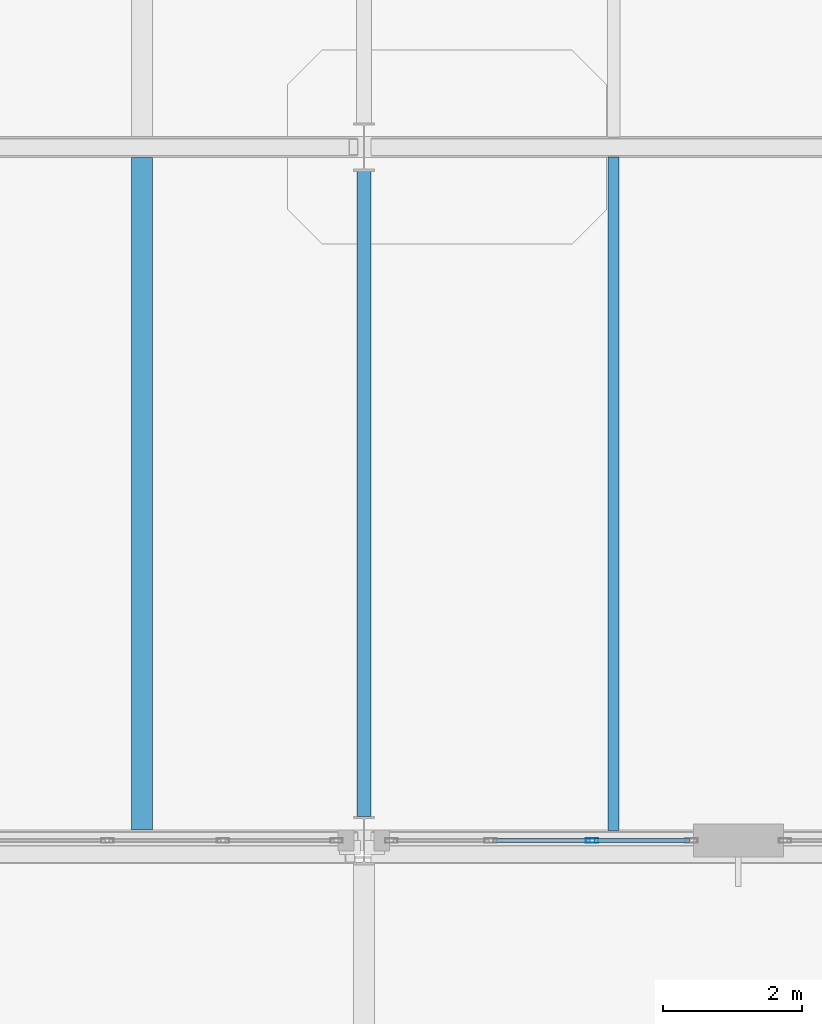
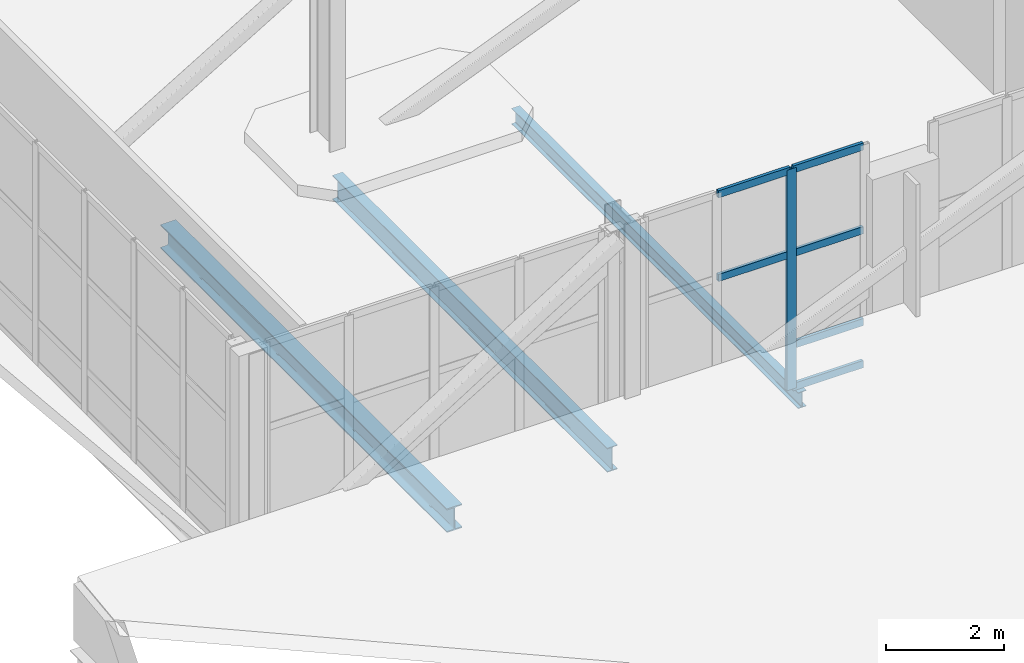
# One storey, part 15 of 100: 7 members, 3 beams, 1 element without a shape of its own.
"""IFC4 building model written with IfcOpenShell, lengths in metres."""

from ifc_helpers import new_model, si_unit, direction, frame, origin, origin_2d, place, context, subcontext, project, spatial, hollow_rectangle, i_section, extrude, material, layer, layer_set, material_profile, profile_set, type_object, element, aggregate, save


model = new_model("IFC4")

# Units and contexts
model_context = context("Model", 3, precision=1e-05, world=origin(), true_north=direction((0.0, 1.0)))
body_context = subcontext(model_context, "Body", "Model", "MODEL_VIEW")
ifc_project = project(units=[si_unit("LENGTHUNIT", "METRE"), si_unit("AREAUNIT", "SQUARE_METRE"), si_unit("VOLUMEUNIT", "CUBIC_METRE"), si_unit("PLANEANGLEUNIT", "RADIAN"), si_unit("MASSUNIT", "GRAM", prefix="KILO")], contexts=[model_context])

# Site, building, storey
site_placement = place(None, origin())
site = spatial("IfcSite", under=ifc_project, at=site_placement, CompositionType="ELEMENT")
building_placement = place(site_placement, origin())
building = spatial("IfcBuilding", under=site, at=building_placement, Name="Tasgan Crest Museum", CompositionType="ELEMENT")
storey_placement = place(building_placement, frame((0.0, 0.0, 9.60009765625)))
storey = spatial("IfcBuildingStorey", under=building, at=storey_placement, Name="L02", CompositionType="ELEMENT", Elevation=9.60009765625)

# Beams
ifc_material_1 = material(Name="Steel S355J2", Category="steel")
ifc_material_profile_1 = material_profile(ifc_material_1, i_section(OverallWidth=0.300048828125, OverallDepth=0.489990234375, WebThickness=0.011962890625, FlangeThickness=0.02294921875, FilletRadius=0.027099609375, at=origin_2d()), Name="HEA 500")
ifc_profile_set_1 = profile_set([ifc_material_profile_1], Name="Steel S355J2")
beam_type_1 = type_object("IfcBeamType", Name="BM-G-HEA500", PredefinedType="BEAM", material=ifc_profile_set_1)
beam_1_placement = place(storey_placement, frame((7.60009765625, 40.14990234375, -0.505126953125), z_axis=(0.0, 1.0, 0.0), x_axis=(-1.0, 0.0, 0.0)))
element("IfcBeam", 1, at=beam_1_placement, inside=storey, type_object=beam_type_1, Name="Cantilever edge beam L02 MID 40-50", PredefinedType="BEAM", context=body_context, shape_type="SweptSolid", body=[
    extrude(i_section(OverallWidth=0.300048828125, OverallDepth=0.489990234375, WebThickness=0.011962890625, FlangeThickness=0.02294921875, FilletRadius=0.027099609375, at=origin_2d()), origin(), (0.0, 0.0, 1.0), 9.7001953125),
])
ifc_material_2 = material(Name="Steel S355J2", Category="steel")
ifc_material_profile_2 = material_profile(ifc_material_2, i_section(OverallWidth=0.199951171875, OverallDepth=0.5, WebThickness=0.01025390625, FlangeThickness=0.01611328125, FilletRadius=0.02099609375, at=origin_2d()), Name="IPE 500")
ifc_profile_set_2 = profile_set([ifc_material_profile_2], Name="Steel S355J2")
beam_type_2 = type_object("IfcBeamType", Name="BM-G-IPE500", PredefinedType="BEAM", material=ifc_profile_set_2)
beam_2_placement = place(storey_placement, frame((10.800048828125, 40.344970703125, -0.510009765625), z_axis=(0.0, 1.0, 0.0), x_axis=(-1.0, 0.0, 0.0)))
element("IfcBeam", 2, at=beam_2_placement, inside=storey, type_object=beam_type_2, Name="Beam L02 2 40.0-50.0", PredefinedType="BEAM", context=body_context, shape_type="SweptSolid", body=[
    extrude(i_section(OverallWidth=0.199951171875, OverallDepth=0.5, WebThickness=0.01025390625, FlangeThickness=0.01611328125, FilletRadius=0.02099609375, at=origin_2d()), origin(), (0.0, 0.0, 1.0), 9.31005859375),
])
ifc_material_3 = material(Name="Steel S355J2", Category="steel")
ifc_material_profile_3 = material_profile(ifc_material_3, i_section(OverallWidth=0.159912109375, OverallDepth=0.330078125, WebThickness=0.007568359375, FlangeThickness=0.011474609375, FilletRadius=0.01806640625, at=origin_2d()), Name="IPE 330")
ifc_profile_set_3 = profile_set([ifc_material_profile_3], Name="Steel S355J2")
beam_type_3 = type_object("IfcBeamType", Name="BM-J-IPE330", PredefinedType="JOIST", material=ifc_profile_set_3)
beam_3_placement = place(storey_placement, frame((14.39990234375, 40.14501953125, -0.425048828125), z_axis=(0.0, 1.0, 0.0), x_axis=(-1.0, 0.0, 0.0)))
element("IfcBeam", 3, at=beam_3_placement, inside=storey, type_object=beam_type_3, Name="Secondary joist L02 X=14.4 Y=40.0-50.0", PredefinedType="JOIST", context=body_context, shape_type="SweptSolid", body=[
    extrude(i_section(OverallWidth=0.159912109375, OverallDepth=0.330078125, WebThickness=0.007568359375, FlangeThickness=0.011474609375, FilletRadius=0.01806640625, at=origin_2d()), origin(), (0.0, 0.0, 1.0), 9.7099609375),
])

# Curtain wall, members
ifc_material_4 = material(Name="Triple-Glazed Aluminium Curtain Wall", Category="aluminium")
ifc_layer = layer(ifc_material_4, 0.179931640625, Name="CW-CANT-SIDE-48")
ifc_layer_set = layer_set([ifc_layer], Name="Triple-Glazed Aluminium Curtain Wall")
curtain_wall_type = type_object("IfcCurtainWallType", Name="CW-CANT-SIDE-48", PredefinedType="NOTDEFINED", material=ifc_layer_set)
curtain_wall_placement = place(storey_placement, origin())
curtain_wall = element("IfcCurtainWall", 4, at=curtain_wall_placement, inside=storey, type_object=curtain_wall_type, Name="Curtain wall L02 097", PredefinedType="NOTDEFINED")
ifc_material_5 = material(Name="Anodised Aluminium", Category="aluminium")
ifc_material_profile_4 = material_profile(ifc_material_5, hollow_rectangle(XDim=0.06494140625, YDim=0.179931640625, WallThickness=0.0048828125, at=origin_2d()), Name="ALU MULLION 180x65x5")
ifc_profile_set_4 = profile_set([ifc_material_profile_4], Name="Anodised Aluminium")
member_type_1 = type_object("IfcMemberType", Name="CW-MULLION-180", PredefinedType="MULLION", material=ifc_profile_set_4)
member_1_placement = place(storey_placement, frame((14.091552734375, 40.0, 0.0), z_axis=(0.0, 0.0, 1.0), x_axis=(0.0, 1.0, 0.0)))
member_1 = element("IfcMember", 5, at=member_1_placement, type_object=member_type_1, Name="CW11 mullion 3", PredefinedType="MULLION", context=body_context, shape_type="SweptSolid", body=[
    extrude(hollow_rectangle(XDim=0.06494140625, YDim=0.179931640625, WallThickness=0.0048828125, at=origin_2d()), origin(), (0.0, 0.0, 1.0), 4.559814453125),
])
ifc_material_6 = material(Name="Anodised Aluminium", Category="aluminium")
ifc_material_profile_5 = material_profile(ifc_material_6, hollow_rectangle(XDim=0.06005859375, YDim=0.14990234375, WallThickness=0.0048828125, at=origin_2d()), Name="ALU TRANSOM 150x60x5")
ifc_profile_set_5 = profile_set([ifc_material_profile_5], Name="Anodised Aluminium")
member_type_2 = type_object("IfcMemberType", Name="CW-TRANSOM-150", PredefinedType="USERDEFINED", material=ifc_profile_set_5)
member_2_placement = place(storey_placement, frame((12.658447265625, 40.0, 2.7998046875), z_axis=(1.0, 0.0, 0.0), x_axis=(0.0, 1.0, 0.0)))
member_2 = element("IfcMember", 6, at=member_2_placement, type_object=member_type_2, Name="CW11 transom 2.3", ObjectType="TRANSOM", PredefinedType="USERDEFINED", context=body_context, shape_type="SweptSolid", body=[
    extrude(hollow_rectangle(XDim=0.06005859375, YDim=0.14990234375, WallThickness=0.0048828125, at=origin_2d()), origin(), (0.0, 0.0, 1.0), 1.4033203125),
])
member_3_placement = place(storey_placement, frame((12.658447265625, 40.0, 4.52978515625), z_axis=(1.0, 0.0, 0.0), x_axis=(0.0, 1.0, 0.0)))
member_3 = element("IfcMember", 7, at=member_3_placement, type_object=member_type_2, Name="CW11 transom 2.4", ObjectType="TRANSOM", PredefinedType="USERDEFINED", context=body_context, shape_type="SweptSolid", body=[
    extrude(hollow_rectangle(XDim=0.06005859375, YDim=0.14990234375, WallThickness=0.0048828125, at=origin_2d()), origin(), (0.0, 0.0, 1.0), 1.4033203125),
])
member_4_placement = place(storey_placement, frame((14.12158203125, 40.0, 0.02978515625), z_axis=(1.0, 0.0, 0.0), x_axis=(0.0, 1.0, 0.0)))
member_4 = element("IfcMember", 8, at=member_4_placement, type_object=member_type_2, Name="CW11 transom 3.1", ObjectType="TRANSOM", PredefinedType="USERDEFINED", context=body_context, shape_type="SweptSolid", body=[
    extrude(hollow_rectangle(XDim=0.06005859375, YDim=0.14990234375, WallThickness=0.0048828125, at=origin_2d()), origin(), (0.0, 0.0, 1.0), 1.37353515625),
])
member_5_placement = place(storey_placement, frame((14.12158203125, 40.0, 0.89990234375), z_axis=(1.0, 0.0, 0.0), x_axis=(0.0, 1.0, 0.0)))
member_5 = element("IfcMember", 9, at=member_5_placement, type_object=member_type_2, Name="CW11 transom 3.2", ObjectType="TRANSOM", PredefinedType="USERDEFINED", context=body_context, shape_type="SweptSolid", body=[
    extrude(hollow_rectangle(XDim=0.06005859375, YDim=0.14990234375, WallThickness=0.0048828125, at=origin_2d()), origin(), (0.0, 0.0, 1.0), 1.37353515625),
])
member_6_placement = place(storey_placement, frame((14.12158203125, 40.0, 2.7998046875), z_axis=(1.0, 0.0, 0.0), x_axis=(0.0, 1.0, 0.0)))
member_6 = element("IfcMember", 10, at=member_6_placement, type_object=member_type_2, Name="CW11 transom 3.3", ObjectType="TRANSOM", PredefinedType="USERDEFINED", context=body_context, shape_type="SweptSolid", body=[
    extrude(hollow_rectangle(XDim=0.06005859375, YDim=0.14990234375, WallThickness=0.0048828125, at=origin_2d()), origin(), (0.0, 0.0, 1.0), 1.37353515625),
])
member_7_placement = place(storey_placement, frame((14.12158203125, 40.0, 4.52978515625), z_axis=(1.0, 0.0, 0.0), x_axis=(0.0, 1.0, 0.0)))
member_7 = element("IfcMember", 11, at=member_7_placement, type_object=member_type_2, Name="CW11 transom 3.4", ObjectType="TRANSOM", PredefinedType="USERDEFINED", context=body_context, shape_type="SweptSolid", body=[
    extrude(hollow_rectangle(XDim=0.06005859375, YDim=0.14990234375, WallThickness=0.0048828125, at=origin_2d()), origin(), (0.0, 0.0, 1.0), 1.37353515625),
])
aggregate(curtain_wall, [member_1, member_2, member_3, member_4, member_5, member_6, member_7])

save(model, "model.ifc")
